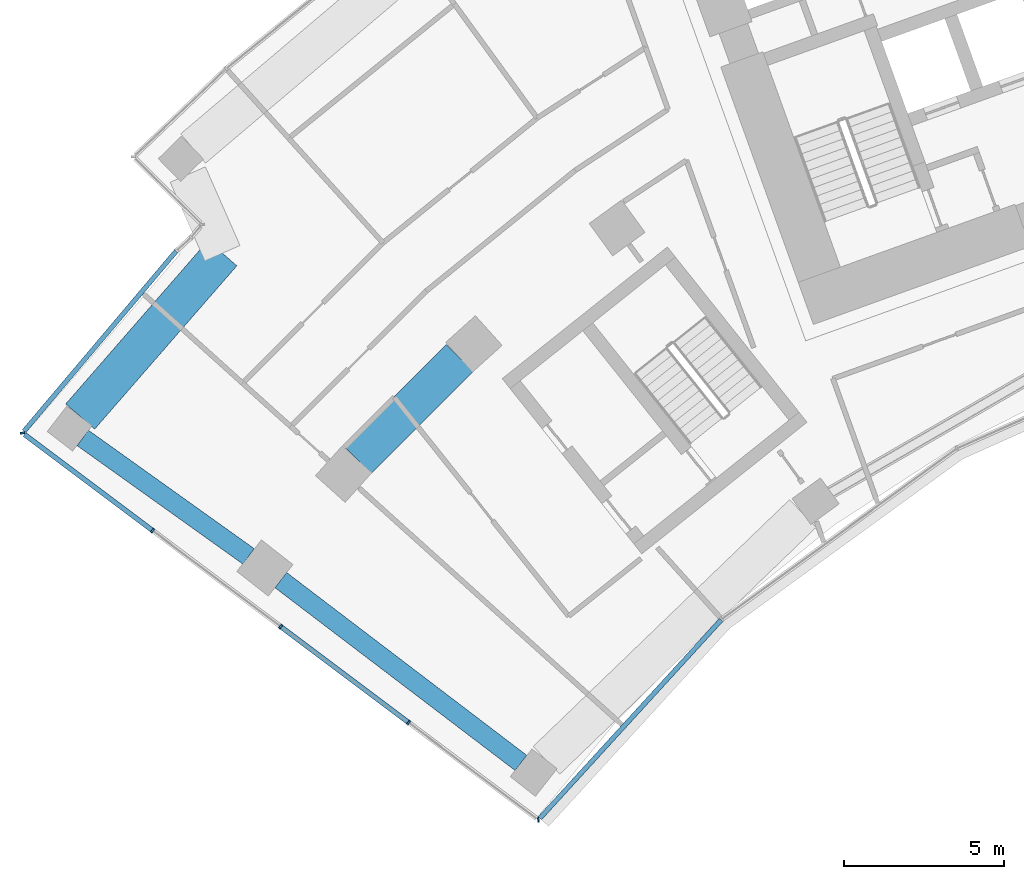
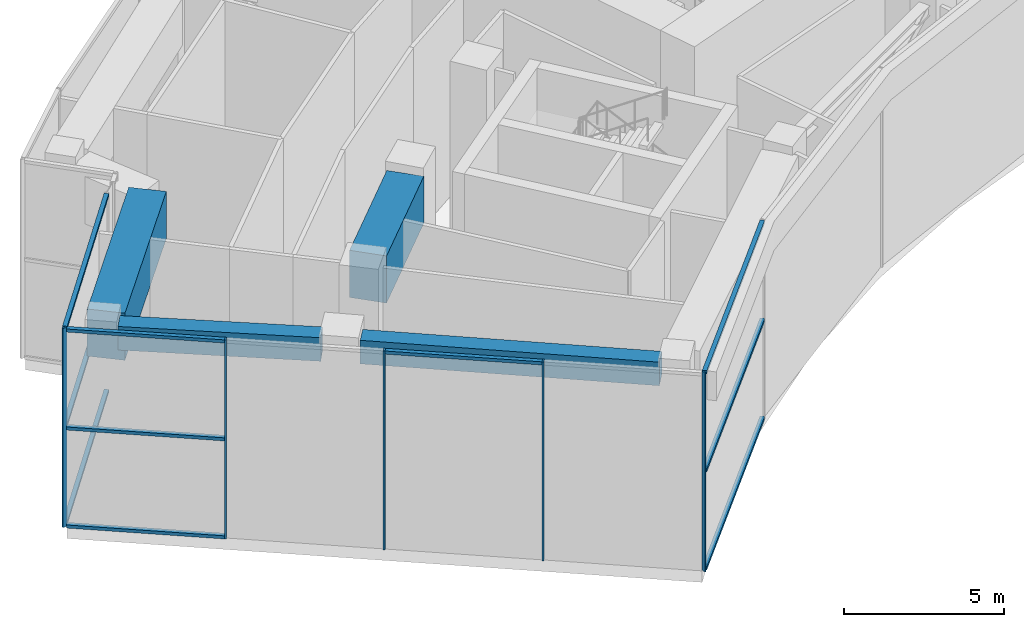
# One storey, part 2 of 32: 15 members, 4 beams, 3 elements without a shape of their own.
"""IFC4 building model written with IfcOpenShell, lengths in metres."""

import ifcopenshell
import ifcopenshell.guid

model = None  # the IFC model being written
_history = None  # IfcOwnerHistory: only IFC2X3 demands one
_inside = {}  # id of a spatial element -> (the spatial element, [elements in it])
_under = {}  # id of a project, library or spatial element -> (it, [spatial elements below it])
_declared = {}  # id of a project -> (the project, [libraries it declares])
_typed = {}  # id of a type object -> (the type object, [elements of that type])
_made_of = {}  # id of a material, layer set ... -> (it, [elements and type objects made of it])


def new_model(schema):
    """Start an empty IFC model of exactly this schema.

    Asked for "IFC4X3", IfcOpenShell would pick the latest addendum, in which some entities
    have other attributes; the version numbers below select the first issue.
    IFC2X3 requires an IfcOwnerHistory on every rooted entity: one is made here for all.
    """
    global model, _history
    if schema == "IFC4X3":
        model = ifcopenshell.file(schema_version=(4, 3, 0, 0))
    else:
        model = ifcopenshell.file(schema=schema)
    _inside.clear()
    _under.clear()
    _declared.clear()
    _typed.clear()
    _made_of.clear()
    _history = None
    if model.schema == "IFC2X3":
        org = make("IfcOrganization", Name="unknown")
        user = make(
            "IfcPersonAndOrganization",
            ThePerson=make("IfcPerson", FamilyName="unknown"),
            TheOrganization=org,
        )
        app = make(
            "IfcApplication",
            ApplicationDeveloper=org,
            Version="unknown",
            ApplicationFullName="unknown",
            ApplicationIdentifier="unknown",
        )
        _history = make(
            "IfcOwnerHistory",
            OwningUser=user,
            OwningApplication=app,
            ChangeAction="ADDED",
            CreationDate=0,
        )
    return model


def make(cls, **values):
    """One entity of the class cls with the attributes given. An attribute that is None is left unset."""
    return model.create_entity(
        cls, **{name: value for name, value in values.items() if value is not None}
    )


def rooted(cls, **values):
    """An entity with a GlobalId (a new one), such as an element, a storey or a relation."""
    return make(cls, GlobalId=ifcopenshell.guid.new(), OwnerHistory=_history, **values)


def si_unit(unit_type, name, prefix=None):
    """IfcSIUnit, for example si_unit("LENGTHUNIT", "METRE", prefix="MILLI")."""
    return make("IfcSIUnit", UnitType=unit_type, Prefix=prefix, Name=name)


def assignment(units):
    """IfcUnitAssignment: the units of a project."""
    return None if units is None else make("IfcUnitAssignment", Units=units)


def point(xyz):
    """IfcCartesianPoint."""
    return None if xyz is None else make("IfcCartesianPoint", Coordinates=xyz)


def direction(xyz):
    """IfcDirection."""
    return None if xyz is None else make("IfcDirection", DirectionRatios=xyz)


def frame(location, z_axis=None, x_axis=None):
    """IfcAxis2Placement3D, a coordinate frame: its origin and axes. An axis left out is left unset."""
    return make(
        "IfcAxis2Placement3D",
        Location=point(location),
        Axis=direction(z_axis),
        RefDirection=direction(x_axis),
    )


def frame_2d(location, x_axis=None):
    """IfcAxis2Placement2D, a coordinate frame in the plane: its origin and x axis."""
    return make(
        "IfcAxis2Placement2D", Location=point(location), RefDirection=direction(x_axis)
    )


def origin():
    """The frame at (0, 0, 0) with its axes left unset."""
    return frame((0.0, 0.0, 0.0))


def origin_2d():
    """The frame at (0, 0) in the plane with its x axis left unset."""
    return frame_2d((0.0, 0.0))


def place(relative_to, where):
    """IfcLocalPlacement: puts the frame where relative to a parent placement (None: the world)."""
    return make(
        "IfcLocalPlacement", PlacementRelTo=relative_to, RelativePlacement=where
    )


def context(
    kind, dimensions, precision=None, world=None, true_north=None, identifier=None
):
    """IfcGeometricRepresentationContext, for example the 3D "Model" context."""
    return make(
        "IfcGeometricRepresentationContext",
        ContextIdentifier=identifier,
        ContextType=kind,
        CoordinateSpaceDimension=dimensions,
        Precision=precision,
        WorldCoordinateSystem=world,
        TrueNorth=true_north,
    )


def subcontext(parent, identifier, kind, view, scale=None):
    """IfcGeometricRepresentationSubContext, for example "Body" below "Model"."""
    return make(
        "IfcGeometricRepresentationSubContext",
        ContextIdentifier=identifier,
        ContextType=kind,
        ParentContext=parent,
        TargetScale=scale,
        TargetView=view,
    )


def project(units=None, contexts=None):
    """IfcProject with its units and contexts."""
    return rooted(
        "IfcProject",
        Name="project",
        RepresentationContexts=contexts,
        UnitsInContext=assignment(units),
    )


def spatial(cls, under=None, at=None, **own):
    """A site, building, storey or space (cls), placed at a placement, below another one or the project."""
    s = rooted(cls, ObjectPlacement=at, **own)
    if under is not None:
        _under.setdefault(under.id(), (under, []))[1].append(s)
    return s


def profile(cls, at=None, kind="AREA", **sizes):
    """A parametric profile (cls). Its sizes go by their IFC names, for example OverallWidth=200.0."""
    return make(cls, ProfileType=kind, Position=at, **sizes)


def rectangle(**sizes):
    """IfcRectangleProfileDef."""
    return profile("IfcRectangleProfileDef", **sizes)


def extrude(swept, where, along, depth):
    """IfcExtrudedAreaSolid: the profile swept, set in the frame where, extruded along a direction by depth."""
    return make(
        "IfcExtrudedAreaSolid",
        SweptArea=swept,
        Position=where,
        ExtrudedDirection=direction(along),
        Depth=depth,
    )


def shape(context_of_items, identifier, shape_type, items):
    """IfcShapeRepresentation: the items that make up one representation, for example the "Body"."""
    return make(
        "IfcShapeRepresentation",
        ContextOfItems=context_of_items,
        RepresentationIdentifier=identifier,
        RepresentationType=shape_type,
        Items=items,
    )


def material(Name=None, Category=None):
    """IfcMaterial."""
    return make("IfcMaterial", Name=Name, Category=Category)


def layer(
    of_material, thickness, ventilated=None, Name=None, Category=None, Priority=None
):
    """IfcMaterialLayer: one layer of a wall or slab, of a material (None: an air gap)."""
    return make(
        "IfcMaterialLayer",
        Material=of_material,
        LayerThickness=thickness,
        IsVentilated=ventilated,
        Name=Name,
        Category=Category,
        Priority=Priority,
    )


def layer_set(layers, Name=None):
    """IfcMaterialLayerSet."""
    return make("IfcMaterialLayerSet", MaterialLayers=layers, LayerSetName=Name)


def material_profile(
    of_material, cross_section, Name=None, Category=None, Priority=None
):
    """IfcMaterialProfile: a cross section and its material."""
    return make(
        "IfcMaterialProfile",
        Name=Name,
        Material=of_material,
        Profile=cross_section,
        Priority=Priority,
        Category=Category,
    )


def profile_set(profiles, Name=None, composite=None):
    """IfcMaterialProfileSet."""
    return make(
        "IfcMaterialProfileSet",
        Name=Name,
        MaterialProfiles=profiles,
        CompositeProfile=composite,
    )


def made_of(thing, what):
    """Note that an element or type object is made of a material, layer set ...; save() writes the relation."""
    if what is not None:
        _made_of.setdefault(what.id(), (what, []))[1].append(thing)
    return thing


def type_object(cls, material=None, **own):
    """A type object (cls), such as IfcWallType, which elements share."""
    return made_of(rooted(cls, **own), material)


def element(
    cls,
    number,
    at=None,
    inside=None,
    cuts=None,
    type_object=None,
    material=None,
    context=None,
    identifier="Body",
    shape_type=None,
    held_by="IfcProductDefinitionShape",
    body=None,
    shapes=None,
    **own,
):
    """One element of the class cls, such as IfcWall. Its Tag is "e" and its number.

    at: its placement. inside: the storey or other place that contains it. cuts: it is an
    opening in that element (IfcRelVoidsElement). A single representation is given by context,
    identifier, shape_type and body (its items); several are given by shapes. held_by: the class
    of the entity that holds the representations. save() writes the other relations.
    """
    e = rooted(cls, Tag="e%d" % number, ObjectPlacement=at, **own)
    if body is not None:
        shapes = [shape(context, identifier, shape_type, body)]
    if shapes is not None:
        e.Representation = make(held_by, Representations=shapes)
    if inside is not None:
        _inside.setdefault(inside.id(), (inside, []))[1].append(e)
    if cuts is not None:
        rooted(
            "IfcRelVoidsElement", RelatingBuildingElement=cuts, RelatedOpeningElement=e
        )
    if type_object is not None:
        _typed.setdefault(type_object.id(), (type_object, []))[1].append(e)
    return made_of(e, material)


def aggregate(whole, parts):
    """IfcRelAggregates: a whole, such as a stair, and the parts it consists of."""
    return rooted("IfcRelAggregates", RelatingObject=whole, RelatedObjects=parts)


def save(model, path):
    """Write the relations noted so far, then the file.

    IfcRelAggregates (storeys below a building ...), IfcRelContainedInSpatialStructure (elements
    in a storey), IfcRelDefinesByType, IfcRelAssociatesMaterial and IfcRelDeclares: one each for
    every whole, place, type object, material and project.
    """
    for whole, parts in _under.values():
        aggregate(whole, parts)
    for where, things in _inside.values():
        rooted(
            "IfcRelContainedInSpatialStructure",
            RelatedElements=things,
            RelatingStructure=where,
        )
    for kind, things in _typed.values():
        rooted("IfcRelDefinesByType", RelatedObjects=things, RelatingType=kind)
    for what, things in _made_of.values():
        rooted("IfcRelAssociatesMaterial", RelatedObjects=things, RelatingMaterial=what)
    for by, libraries in _declared.values():
        rooted("IfcRelDeclares", RelatingContext=by, RelatedDefinitions=libraries)
    model.write(path)


model = new_model("IFC4")

# Units and contexts
model_context = context("Model", 3, precision=1e-05, world=origin(), true_north=direction((0.0, 1.0)))
body_context = subcontext(model_context, "Body", "Model", "MODEL_VIEW")
ifc_project = project(units=[si_unit("LENGTHUNIT", "METRE"), si_unit("AREAUNIT", "SQUARE_METRE"), si_unit("VOLUMEUNIT", "CUBIC_METRE"), si_unit("PLANEANGLEUNIT", "RADIAN"), si_unit("MASSUNIT", "GRAM", prefix="KILO")], contexts=[model_context])

# Site, building, storey
site_placement = place(None, origin())
site = spatial("IfcSite", under=ifc_project, at=site_placement, CompositionType="ELEMENT")
building_placement = place(site_placement, origin())
building = spatial("IfcBuilding", under=site, at=building_placement, Name="Stone Belt Terrace Tower", CompositionType="ELEMENT")
storey_placement = place(building_placement, frame((0.0, 0.0, 193.39990234375)))
storey = spatial("IfcBuildingStorey", under=building, at=storey_placement, Name="L47", CompositionType="ELEMENT", Elevation=193.39990234375)

# Curtain wall, members
ifc_material_1 = material(Name="Aluminium 6063-T6 anodised frame", Category="aluminium")
ifc_layer_1 = layer(ifc_material_1, 0.14990234375)
ifc_layer_set_1 = layer_set([ifc_layer_1], Name="CW-B unitised concave-face curtain wall")
curtain_wall_type_1 = type_object("IfcCurtainWallType", Name="CW-B unitised concave-face curtain wall", PredefinedType="NOTDEFINED", material=ifc_layer_set_1)
curtain_wall_1_placement = place(storey_placement, origin())
curtain_wall_1 = element("IfcCurtainWall", 1, at=curtain_wall_1_placement, inside=storey, type_object=curtain_wall_type_1, Name="CW-B concave face L47", PredefinedType="NOTDEFINED")
ifc_material_profile_1 = material_profile(ifc_material_1, rectangle(XDim=0.14990234375, YDim=0.050048828125, at=origin_2d()), Name="Aluminium 6063-T6 50x150")
ifc_profile_set_1 = profile_set([ifc_material_profile_1], Name="Aluminium 6063-T6 anodised frame")
member_type_1 = type_object("IfcMemberType", Name="CW-B mullion 50 x 150", PredefinedType="MULLION", material=ifc_profile_set_1)
member_1_placement = place(storey_placement, frame((-34.7900390625, 26.0, 0.0), z_axis=(0.0, 0.0, 1.0), x_axis=(-0.093180581986, 0.995649224949, 0.0)))
member_1 = element("IfcMember", 2, at=member_1_placement, type_object=member_type_1, Name="CW-B mullion 1", PredefinedType="MULLION", context=body_context, shape_type="SweptSolid", body=[
    extrude(rectangle(XDim=0.14990234375, YDim=0.050048828125, at=origin_2d()), origin(), (0.0, 0.0, 1.0), 7.60009765625),
])
ifc_material_profile_2 = material_profile(ifc_material_1, rectangle(XDim=0.14990234375, YDim=0.1201171875, at=origin_2d()), Name="Aluminium 6063-T6 150x120")
ifc_profile_set_2 = profile_set([ifc_material_profile_2], Name="Aluminium 6063-T6 anodised frame")
member_type_2 = type_object("IfcMemberType", Name="CW-B transom 120 x 150", PredefinedType="USERDEFINED", material=ifc_profile_set_2)
member_2_placement = place(storey_placement, frame((-34.743408203125, 26.05078125, 0.06005859375), z_axis=(0.674757432231, 0.738039570517, 0.0), x_axis=(-0.738039570517, 0.674757432231, 0.0)))
member_2 = element("IfcMember", 3, at=member_2_placement, type_object=member_type_2, Name="CW-B transom 1.1", ObjectType="TRANSOM", PredefinedType="USERDEFINED", context=body_context, shape_type="SweptSolid", body=[
    extrude(rectangle(XDim=0.14990234375, YDim=0.1201171875, at=origin_2d()), origin(), (0.0, 0.0, 1.0), 8.39501953125),
])
member_3_placement = place(storey_placement, frame((-34.743408203125, 26.05078125, 3.800048828125), z_axis=(0.674757432231, 0.738039570517, 0.0), x_axis=(-0.738039570517, 0.674757432231, 0.0)))
member_3 = element("IfcMember", 4, at=member_3_placement, type_object=member_type_2, Name="CW-B transom 1.2", ObjectType="TRANSOM", PredefinedType="USERDEFINED", context=body_context, shape_type="SweptSolid", body=[
    extrude(rectangle(XDim=0.14990234375, YDim=0.1201171875, at=origin_2d()), origin(), (0.0, 0.0, 1.0), 8.39501953125),
])
member_4_placement = place(storey_placement, frame((-34.743408203125, 26.05078125, 7.5400390625), z_axis=(0.674757432231, 0.738039570517, 0.0), x_axis=(-0.738039570517, 0.674757432231, 0.0)))
member_4 = element("IfcMember", 5, at=member_4_placement, type_object=member_type_2, Name="CW-B transom 1.3", ObjectType="TRANSOM", PredefinedType="USERDEFINED", context=body_context, shape_type="SweptSolid", body=[
    extrude(rectangle(XDim=0.14990234375, YDim=0.1201171875, at=origin_2d()), origin(), (0.0, 0.0, 1.0), 8.39501953125),
])
aggregate(curtain_wall_1, [member_1, member_2, member_3, member_4])

ifc_layer_2 = layer(ifc_material_1, 0.14990234375)
ifc_layer_set_2 = layer_set([ifc_layer_2], Name="CW-C stick curtain wall, horn ends and notches")
curtain_wall_type_2 = type_object("IfcCurtainWallType", Name="CW-C stick curtain wall, horn ends and notches", PredefinedType="NOTDEFINED", material=ifc_layer_set_2)
curtain_wall_2_placement = place(storey_placement, origin())
curtain_wall_2 = element("IfcCurtainWall", 6, at=curtain_wall_2_placement, inside=storey, type_object=curtain_wall_type_2, Name="CW-C end face L47", PredefinedType="NOTDEFINED")
ifc_material_profile_3 = material_profile(ifc_material_1, rectangle(XDim=0.14990234375, YDim=0.06005859375, at=origin_2d()), Name="Aluminium 6063-T6 60x150")
ifc_profile_set_3 = profile_set([ifc_material_profile_3], Name="Aluminium 6063-T6 anodised frame")
member_type_3 = type_object("IfcMemberType", Name="CW-C mullion 60 x 150", PredefinedType="MULLION", material=ifc_profile_set_3)
member_5_placement = place(storey_placement, frame((-50.90771484375, 38.0888671875, 0.0), z_axis=(0.0, 0.0, 1.0), x_axis=(0.993646662511, 0.112544702587, 0.0)))
member_5 = element("IfcMember", 7, at=member_5_placement, type_object=member_type_3, Name="CW-C mullion 1", PredefinedType="MULLION", context=body_context, shape_type="SweptSolid", body=[
    extrude(rectangle(XDim=0.14990234375, YDim=0.06005859375, at=origin_2d()), origin(), (0.0, 0.0, 1.0), 7.60009765625),
])
member_6_placement = place(storey_placement, frame((-46.84423828125, 35.041015625, 0.0), z_axis=(0.0, 0.0, 1.0), x_axis=(0.600017992436, 0.799986505357, 0.0)))
member_6 = element("IfcMember", 8, at=member_6_placement, type_object=member_type_3, Name="CW-C mullion 2", PredefinedType="MULLION", context=body_context, shape_type="SweptSolid", body=[
    extrude(rectangle(XDim=0.14990234375, YDim=0.06005859375, at=origin_2d()), origin(), (0.0, 0.0, 1.0), 7.60009765625),
])
member_7_placement = place(storey_placement, frame((-42.84423828125, 32.041015625, 0.0), z_axis=(0.0, 0.0, 1.0), x_axis=(0.600017992436, 0.799986505357, 0.0)))
member_7 = element("IfcMember", 9, at=member_7_placement, type_object=member_type_3, Name="CW-C mullion 3", PredefinedType="MULLION", context=body_context, shape_type="SweptSolid", body=[
    extrude(rectangle(XDim=0.14990234375, YDim=0.06005859375, at=origin_2d()), origin(), (0.0, 0.0, 1.0), 7.60009765625),
])
member_8_placement = place(storey_placement, frame((-38.84423828125, 29.040771484375, 0.0), z_axis=(0.0, 0.0, 1.0), x_axis=(0.600017992436, 0.799986505357, 0.0)))
member_8 = element("IfcMember", 10, at=member_8_placement, type_object=member_type_3, Name="CW-C mullion 4", PredefinedType="MULLION", context=body_context, shape_type="SweptSolid", body=[
    extrude(rectangle(XDim=0.14990234375, YDim=0.06005859375, at=origin_2d()), origin(), (0.0, 0.0, 1.0), 7.60009765625),
])

curtain_wall_3_placement = place(storey_placement, origin())
curtain_wall_3 = element("IfcCurtainWall", 11, at=curtain_wall_3_placement, inside=storey, type_object=curtain_wall_type_2, Name="CW-C notch face L47", PredefinedType="NOTDEFINED")
ifc_material_profile_4 = material_profile(ifc_material_1, rectangle(XDim=0.14990234375, YDim=0.1201171875, at=origin_2d()), Name="Aluminium 6063-T6 150x120")
ifc_profile_set_4 = profile_set([ifc_material_profile_4], Name="Aluminium 6063-T6 anodised frame")
member_type_4 = type_object("IfcMemberType", Name="CW-C transom 120 x 150", PredefinedType="USERDEFINED", material=ifc_profile_set_4)
member_9_placement = place(storey_placement, frame((-46.108642578125, 43.766845703125, 0.06005859375), z_axis=(-0.645513842634, -0.763748570517, 0.0), x_axis=(0.763748570517, -0.645513842634, 0.0)))
member_9 = element("IfcMember", 12, at=member_9_placement, type_object=member_type_4, Name="CW-C transom 1.1", ObjectType="TRANSOM", PredefinedType="USERDEFINED", context=body_context, shape_type="SweptSolid", body=[
    extrude(rectangle(XDim=0.14990234375, YDim=0.1201171875, at=origin_2d()), origin(), (0.0, 0.0, 1.0), 7.359130859375),
])
member_10_placement = place(storey_placement, frame((-46.108642578125, 43.766845703125, 3.800048828125), z_axis=(-0.645513842634, -0.763748570517, 0.0), x_axis=(0.763748570517, -0.645513842634, 0.0)))
member_10 = element("IfcMember", 13, at=member_10_placement, type_object=member_type_4, Name="CW-C transom 1.2", ObjectType="TRANSOM", PredefinedType="USERDEFINED", context=body_context, shape_type="SweptSolid", body=[
    extrude(rectangle(XDim=0.14990234375, YDim=0.1201171875, at=origin_2d()), origin(), (0.0, 0.0, 1.0), 7.359130859375),
])
member_11_placement = place(storey_placement, frame((-46.108642578125, 43.766845703125, 7.5400390625), z_axis=(-0.645513842634, -0.763748570517, 0.0), x_axis=(0.763748570517, -0.645513842634, 0.0)))
member_11 = element("IfcMember", 14, at=member_11_placement, type_object=member_type_4, Name="CW-C transom 1.3", ObjectType="TRANSOM", PredefinedType="USERDEFINED", context=body_context, shape_type="SweptSolid", body=[
    extrude(rectangle(XDim=0.14990234375, YDim=0.1201171875, at=origin_2d()), origin(), (0.0, 0.0, 1.0), 7.359130859375),
])
aggregate(curtain_wall_3, [member_9, member_10, member_11])

# Member
member_12_placement = place(storey_placement, frame((-50.84765625, 38.043701171875, 0.06005859375), z_axis=(0.8, -0.6, 0.0), x_axis=(0.6, 0.8, 0.0)))
member_12 = element("IfcMember", 15, at=member_12_placement, type_object=member_type_4, Name="CW-C transom 1.1", ObjectType="TRANSOM", PredefinedType="USERDEFINED", context=body_context, shape_type="SweptSolid", body=[
    extrude(rectangle(XDim=0.14990234375, YDim=0.1201171875, at=origin_2d()), origin(), (0.0, 0.0, 1.0), 4.974365234375),
])

member_13_placement = place(storey_placement, frame((-50.84765625, 38.043701171875, 3.800048828125), z_axis=(0.8, -0.6, 0.0), x_axis=(0.6, 0.8, 0.0)))
member_13 = element("IfcMember", 16, at=member_13_placement, type_object=member_type_4, Name="CW-C transom 1.2", ObjectType="TRANSOM", PredefinedType="USERDEFINED", context=body_context, shape_type="SweptSolid", body=[
    extrude(rectangle(XDim=0.14990234375, YDim=0.1201171875, at=origin_2d()), origin(), (0.0, 0.0, 1.0), 4.974365234375),
])

member_14_placement = place(storey_placement, frame((-50.84765625, 38.043701171875, 7.5400390625), z_axis=(0.8, -0.6, 0.0), x_axis=(0.6, 0.8, 0.0)))
member_14 = element("IfcMember", 17, at=member_14_placement, type_object=member_type_4, Name="CW-C transom 1.3", ObjectType="TRANSOM", PredefinedType="USERDEFINED", context=body_context, shape_type="SweptSolid", body=[
    extrude(rectangle(XDim=0.14990234375, YDim=0.1201171875, at=origin_2d()), origin(), (0.0, 0.0, 1.0), 4.974365234375),
])

member_15_placement = place(storey_placement, frame((-42.8203125, 32.02294921875, 7.5400390625), z_axis=(0.799982207989, -0.600023721949, 0.0), x_axis=(0.600023721949, 0.799982207989, 0.0)))
member_15 = element("IfcMember", 18, at=member_15_placement, type_object=member_type_4, Name="CW-C transom 3.1", ObjectType="TRANSOM", PredefinedType="USERDEFINED", context=body_context, shape_type="SweptSolid", body=[
    extrude(rectangle(XDim=0.14990234375, YDim=0.1201171875, at=origin_2d()), origin(), (0.0, 0.0, 1.0), 4.93994140625),
])

aggregate(curtain_wall_2, [member_5, member_6, member_7, member_8, member_12, member_13, member_14, member_15])

# Beams
ifc_material_2 = material(Name="Concrete B60", Category="concrete")
ifc_material_profile_5 = material_profile(ifc_material_2, rectangle(XDim=0.60009765625, YDim=0.89990234375, at=origin_2d()), Name="RC 600x900")
ifc_profile_set_5 = profile_set([ifc_material_profile_5], Name="Concrete B60")
beam_type_1 = type_object("IfcBeamType", Name="Edge beam RC 600x900 B60", PredefinedType="SPANDREL", material=ifc_profile_set_5)
beam_1_placement = place(storey_placement, frame((-35.33203125, 27.779541015625, 6.830078125), z_axis=(-0.795702028976, 0.605688270552, 0.0), x_axis=(-0.605688270552, -0.795702028976, 0.0)))
element("IfcBeam", 19, at=beam_1_placement, inside=storey, type_object=beam_type_1, Name="Edge beam L47 A P to Q", PredefinedType="SPANDREL", context=body_context, shape_type="SweptSolid", body=[
    extrude(rectangle(XDim=0.60009765625, YDim=0.89990234375, at=origin_2d()), origin(), (0.0, 0.0, 1.0), 9.430908203125),
])
beam_2_placement = place(storey_placement, frame((-43.842529296875, 34.23388671875, 6.830078125), z_axis=(-0.813774908454, 0.581180177201, 0.0), x_axis=(-0.581180177201, -0.813774908454, 0.0)))
element("IfcBeam", 20, at=beam_2_placement, inside=storey, type_object=beam_type_1, Name="Edge beam L47 A Q to R", PredefinedType="SPANDREL", context=body_context, shape_type="SweptSolid", body=[
    extrude(rectangle(XDim=0.60009765625, YDim=0.89990234375, at=origin_2d()), origin(), (0.0, 0.0, 1.0), 6.369140625),
])
ifc_material_3 = material(Name="Concrete B80", Category="concrete")
ifc_material_profile_6 = material_profile(ifc_material_3, rectangle(XDim=1.199951171875, YDim=1.800048828125, at=origin_2d()), Name="RC 1200x1800")
ifc_profile_set_6 = profile_set([ifc_material_profile_6], Name="Concrete B80")
beam_type_2 = type_object("IfcBeamType", Name="Transfer girder RC 1200x1800 B80", PredefinedType="BEAM", material=ifc_profile_set_6)
beam_3_placement = place(storey_placement, frame((-40.430419921875, 37.24462890625, 6.380126953125), z_axis=(0.707106781187, 0.707106781187, 0.0), x_axis=(-0.707106781187, 0.707106781187, 0.0)))
element("IfcBeam", 21, at=beam_3_placement, inside=storey, type_object=beam_type_2, Name="Transfer beam L47 QQ14-Q15", PredefinedType="BEAM", context=body_context, shape_type="SweptSolid", body=[
    extrude(rectangle(XDim=1.199951171875, YDim=1.800048828125, at=origin_2d()), origin(), (0.0, 0.0, 1.0), 4.50537109375),
])
beam_4_placement = place(storey_placement, frame((-49.10400390625, 38.60400390625, 6.380126953125), z_axis=(0.656699335912, 0.754152492678, 0.0), x_axis=(-0.754152492678, 0.656699335912, 0.0)))
element("IfcBeam", 22, at=beam_4_placement, inside=storey, type_object=beam_type_2, Name="Transfer beam L47 RRA-RA", PredefinedType="BEAM", context=body_context, shape_type="SweptSolid", body=[
    extrude(rectangle(XDim=1.199951171875, YDim=1.800048828125, at=origin_2d()), origin(), (0.0, 0.0, 1.0), 6.7666015625),
])

save(model, "model.ifc")
